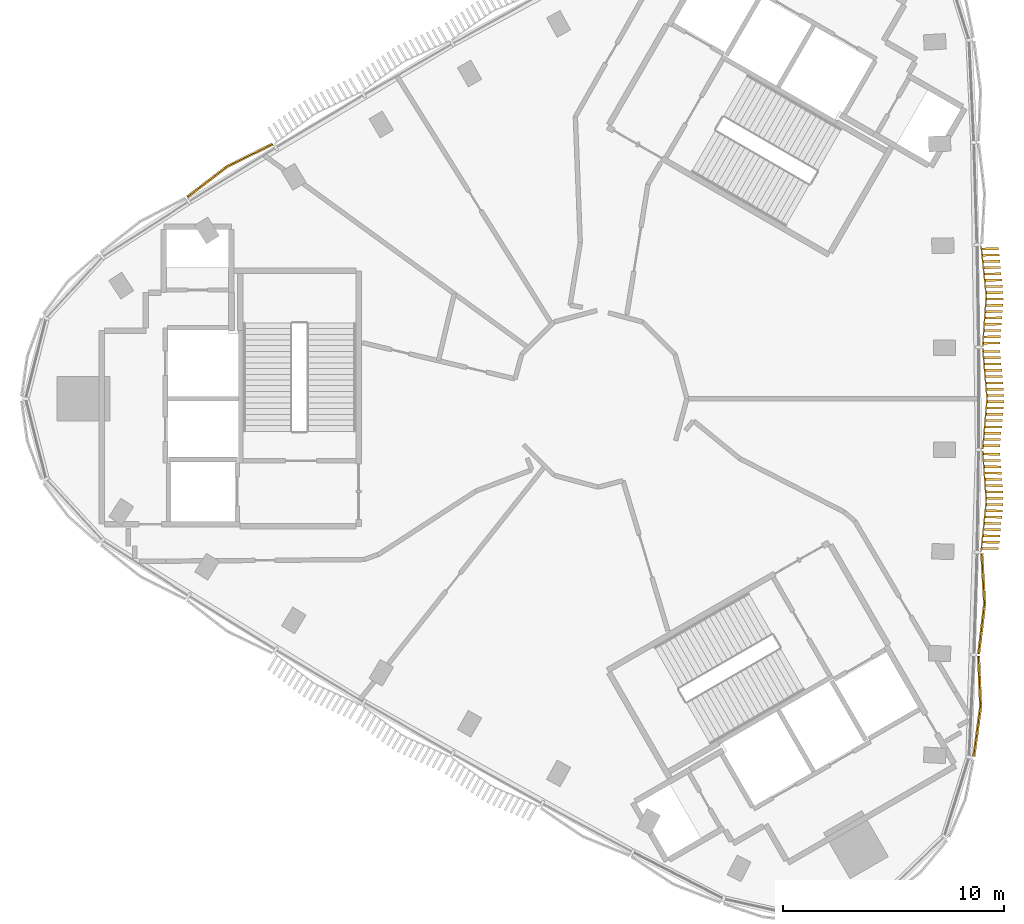
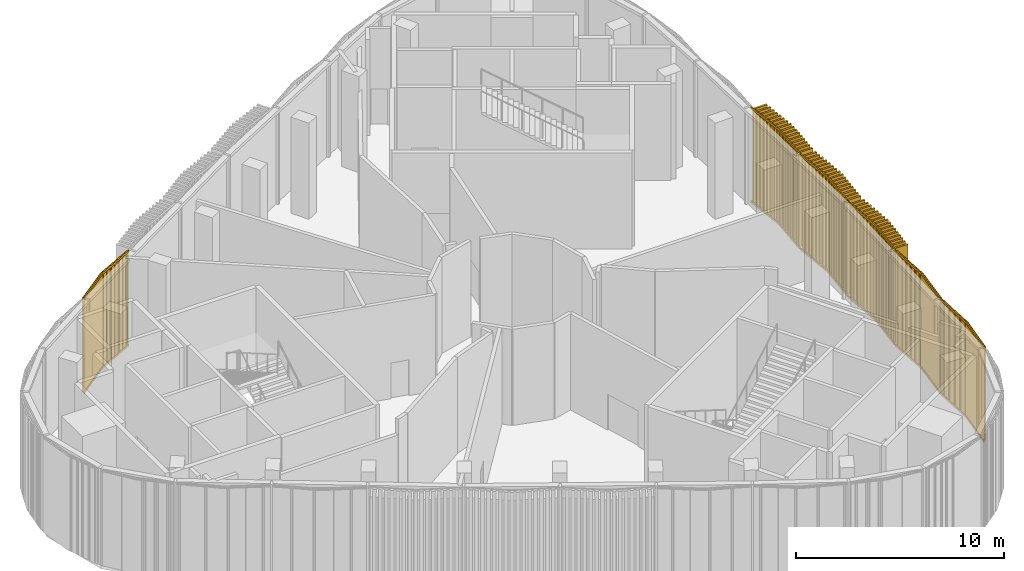
# One storey, part 9 of 11: 6 coverings.
"""IFC4 building model written with IfcOpenShell, lengths in metres."""

from ifc_helpers import new_model, si_unit, direction, frame, frame_2d, origin, place, context, subcontext, project, spatial, rectangle, extrude, source, transform, mapped, material, type_object, element, save


model = new_model("IFC4")

# Units and contexts
model_context = context("Model", 3, precision=1e-05, world=origin(), true_north=direction((0.0, 1.0)))
body_context = subcontext(model_context, "Body", "Model", "MODEL_VIEW")
ifc_project = project(units=[si_unit("LENGTHUNIT", "METRE"), si_unit("AREAUNIT", "SQUARE_METRE"), si_unit("VOLUMEUNIT", "CUBIC_METRE"), si_unit("PLANEANGLEUNIT", "RADIAN"), si_unit("MASSUNIT", "GRAM", prefix="KILO")], contexts=[model_context])

# Site, building, storey
site_placement = place(None, origin())
site = spatial("IfcSite", under=ifc_project, at=site_placement, CompositionType="ELEMENT")
building_placement = place(site_placement, origin())
building = spatial("IfcBuilding", under=site, at=building_placement, Name="Tamra Quay Hotel Tower", CompositionType="ELEMENT")
storey_placement = place(building_placement, frame((0.0, 0.0, 306.60009765625)))
storey = spatial("IfcBuildingStorey", under=building, at=storey_placement, Name="L77", CompositionType="ELEMENT", Elevation=306.60009765625)

# Coverings
ifc_material = material(Name="Terracotta baguette extruded", Category="masonry")
covering_type_1 = type_object("IfcCoveringType", Name="BAGUETTE SCREEN E-SHALLOW H5650", PredefinedType="USERDEFINED", material=ifc_material)
shared_shape_1 = source(origin(), body_context, "Body", "SweptSolid", [
    extrude(rectangle(XDim=2.28125, YDim=0.06005859375, at=frame_2d((1.140625, 0.030029296875))), frame((-2.27783203125, -0.057861328125, -0.1201171875), z_axis=(0.0, 0.0, 1.0), x_axis=(0.996194698092, -0.087155742748, 0.0)), (0.0, 0.0, 1.0), 0.1201171875),
    extrude(rectangle(XDim=2.28125, YDim=0.06005859375, at=frame_2d((1.140625, 0.030029296875))), frame((-2.27783203125, -0.057861328125, -5.64990234375), z_axis=(0.0, 0.0, 1.0), x_axis=(0.996194698092, -0.087155742748, 0.0)), (0.0, 0.0, 1.0), 0.1201171875),
    extrude(rectangle(XDim=0.094970703125, YDim=0.10009765625, at=frame_2d((0.04736328125, 0.050048828125))), frame((-2.2705078125, -0.13232421875, -5.590087890625)), (0.0, 0.0, 1.0), 5.530029296875),
    extrude(rectangle(XDim=0.094970703125, YDim=0.10009765625, at=frame_2d((0.04736328125, 0.050048828125))), frame((-2.171875, -0.140869140625, -5.590087890625)), (0.0, 0.0, 1.0), 5.530029296875),
    extrude(rectangle(XDim=0.094970703125, YDim=0.10009765625, at=frame_2d((0.04736328125, 0.050048828125))), frame((-2.072998046875, -0.149658203125, -5.590087890625)), (0.0, 0.0, 1.0), 5.530029296875),
    extrude(rectangle(XDim=0.094970703125, YDim=0.10009765625, at=frame_2d((0.04736328125, 0.050048828125))), frame((-1.97412109375, -0.158203125, -5.590087890625)), (0.0, 0.0, 1.0), 5.530029296875),
    extrude(rectangle(XDim=0.094970703125, YDim=0.10009765625, at=frame_2d((0.04736328125, 0.050048828125))), frame((-1.87548828125, -0.1669921875, -5.590087890625)), (0.0, 0.0, 1.0), 5.530029296875),
    extrude(rectangle(XDim=0.094970703125, YDim=0.10009765625, at=frame_2d((0.04736328125, 0.050048828125))), frame((-1.776611328125, -0.175537109375, -5.590087890625)), (0.0, 0.0, 1.0), 5.530029296875),
    extrude(rectangle(XDim=0.094970703125, YDim=0.10009765625, at=frame_2d((0.04736328125, 0.050048828125))), frame((-1.677734375, -0.18408203125, -5.590087890625)), (0.0, 0.0, 1.0), 5.530029296875),
    extrude(rectangle(XDim=0.094970703125, YDim=0.10009765625, at=frame_2d((0.04736328125, 0.050048828125))), frame((-1.578857421875, -0.19287109375, -5.590087890625)), (0.0, 0.0, 1.0), 5.530029296875),
    extrude(rectangle(XDim=0.094970703125, YDim=0.10009765625, at=frame_2d((0.04736328125, 0.050048828125))), frame((-1.480224609375, -0.201416015625, -5.590087890625)), (0.0, 0.0, 1.0), 5.530029296875),
    extrude(rectangle(XDim=0.094970703125, YDim=0.10009765625, at=frame_2d((0.04736328125, 0.050048828125))), frame((-1.38134765625, -0.210205078125, -5.590087890625)), (0.0, 0.0, 1.0), 5.530029296875),
    extrude(rectangle(XDim=0.094970703125, YDim=0.10009765625, at=frame_2d((0.04736328125, 0.050048828125))), frame((-1.282470703125, -0.21875, -5.590087890625)), (0.0, 0.0, 1.0), 5.530029296875),
    extrude(rectangle(XDim=0.094970703125, YDim=0.10009765625, at=frame_2d((0.04736328125, 0.050048828125))), frame((-1.183837890625, -0.227294921875, -5.590087890625)), (0.0, 0.0, 1.0), 5.530029296875),
    extrude(rectangle(XDim=0.094970703125, YDim=0.10009765625, at=frame_2d((0.04736328125, 0.050048828125))), frame((-1.0849609375, -0.236083984375, -5.590087890625)), (0.0, 0.0, 1.0), 5.530029296875),
    extrude(rectangle(XDim=0.094970703125, YDim=0.10009765625, at=frame_2d((0.04736328125, 0.050048828125))), frame((-0.986083984375, -0.24462890625, -5.590087890625)), (0.0, 0.0, 1.0), 5.530029296875),
    extrude(rectangle(XDim=0.094970703125, YDim=0.10009765625, at=frame_2d((0.04736328125, 0.050048828125))), frame((-0.887451171875, -0.25341796875, -5.590087890625)), (0.0, 0.0, 1.0), 5.530029296875),
    extrude(rectangle(XDim=0.094970703125, YDim=0.10009765625, at=frame_2d((0.04736328125, 0.050048828125))), frame((-0.78857421875, -0.261962890625, -5.590087890625)), (0.0, 0.0, 1.0), 5.530029296875),
    extrude(rectangle(XDim=0.094970703125, YDim=0.10009765625, at=frame_2d((0.04736328125, 0.050048828125))), frame((-0.689697265625, -0.270751953125, -5.590087890625)), (0.0, 0.0, 1.0), 5.530029296875),
    extrude(rectangle(XDim=0.094970703125, YDim=0.10009765625, at=frame_2d((0.04736328125, 0.050048828125))), frame((-0.5908203125, -0.279296875, -5.590087890625)), (0.0, 0.0, 1.0), 5.530029296875),
    extrude(rectangle(XDim=0.094970703125, YDim=0.10009765625, at=frame_2d((0.04736328125, 0.050048828125))), frame((-0.4921875, -0.287841796875, -5.590087890625)), (0.0, 0.0, 1.0), 5.530029296875),
    extrude(rectangle(XDim=0.094970703125, YDim=0.10009765625, at=frame_2d((0.04736328125, 0.050048828125))), frame((-0.393310546875, -0.296630859375, -5.590087890625)), (0.0, 0.0, 1.0), 5.530029296875),
    extrude(rectangle(XDim=0.094970703125, YDim=0.10009765625, at=frame_2d((0.04736328125, 0.050048828125))), frame((-0.29443359375, -0.30517578125, -5.590087890625)), (0.0, 0.0, 1.0), 5.530029296875),
    extrude(rectangle(XDim=0.094970703125, YDim=0.10009765625, at=frame_2d((0.04736328125, 0.050048828125))), frame((-0.19580078125, -0.31396484375, -5.590087890625)), (0.0, 0.0, 1.0), 5.530029296875),
    extrude(rectangle(XDim=0.094970703125, YDim=0.10009765625, at=frame_2d((0.04736328125, 0.050048828125))), frame((-0.096923828125, -0.322509765625, -5.590087890625)), (0.0, 0.0, 1.0), 5.530029296875),
    extrude(rectangle(XDim=2.28125, YDim=0.06005859375, at=frame_2d((1.140625, 0.030029296875))), frame((0.005126953125, -0.256591796875, -0.1201171875), z_axis=(0.0, 0.0, 1.0), x_axis=(0.996194698092, 0.087155742748, 0.0)), (0.0, 0.0, 1.0), 0.1201171875),
    extrude(rectangle(XDim=2.28125, YDim=0.06005859375, at=frame_2d((1.140625, 0.030029296875))), frame((0.005126953125, -0.256591796875, -5.64990234375), z_axis=(0.0, 0.0, 1.0), x_axis=(0.996194698092, 0.087155742748, 0.0)), (0.0, 0.0, 1.0), 0.1201171875),
    extrude(rectangle(XDim=0.094970703125, YDim=0.10009765625, at=frame_2d((0.04736328125, 0.050048828125))), frame((0.001953125, -0.322509765625, -5.590087890625)), (0.0, 0.0, 1.0), 5.530029296875),
    extrude(rectangle(XDim=0.094970703125, YDim=0.10009765625, at=frame_2d((0.04736328125, 0.050048828125))), frame((0.100830078125, -0.31396484375, -5.590087890625)), (0.0, 0.0, 1.0), 5.530029296875),
    extrude(rectangle(XDim=0.094970703125, YDim=0.10009765625, at=frame_2d((0.04736328125, 0.050048828125))), frame((0.199462890625, -0.30517578125, -5.590087890625)), (0.0, 0.0, 1.0), 5.530029296875),
    extrude(rectangle(XDim=0.094970703125, YDim=0.10009765625, at=frame_2d((0.04736328125, 0.050048828125))), frame((0.29833984375, -0.296630859375, -5.590087890625)), (0.0, 0.0, 1.0), 5.530029296875),
    extrude(rectangle(XDim=0.094970703125, YDim=0.10009765625, at=frame_2d((0.04736328125, 0.050048828125))), frame((0.397216796875, -0.287841796875, -5.590087890625)), (0.0, 0.0, 1.0), 5.530029296875),
    extrude(rectangle(XDim=0.094970703125, YDim=0.10009765625, at=frame_2d((0.04736328125, 0.050048828125))), frame((0.495849609375, -0.279296875, -5.590087890625)), (0.0, 0.0, 1.0), 5.530029296875),
    extrude(rectangle(XDim=0.094970703125, YDim=0.10009765625, at=frame_2d((0.04736328125, 0.050048828125))), frame((0.5947265625, -0.270751953125, -5.590087890625)), (0.0, 0.0, 1.0), 5.530029296875),
    extrude(rectangle(XDim=0.094970703125, YDim=0.10009765625, at=frame_2d((0.04736328125, 0.050048828125))), frame((0.693603515625, -0.261962890625, -5.590087890625)), (0.0, 0.0, 1.0), 5.530029296875),
    extrude(rectangle(XDim=0.094970703125, YDim=0.10009765625, at=frame_2d((0.04736328125, 0.050048828125))), frame((0.792236328125, -0.25341796875, -5.590087890625)), (0.0, 0.0, 1.0), 5.530029296875),
    extrude(rectangle(XDim=0.094970703125, YDim=0.10009765625, at=frame_2d((0.04736328125, 0.050048828125))), frame((0.89111328125, -0.24462890625, -5.590087890625)), (0.0, 0.0, 1.0), 5.530029296875),
    extrude(rectangle(XDim=0.094970703125, YDim=0.10009765625, at=frame_2d((0.04736328125, 0.050048828125))), frame((0.989990234375, -0.236083984375, -5.590087890625)), (0.0, 0.0, 1.0), 5.530029296875),
    extrude(rectangle(XDim=0.094970703125, YDim=0.10009765625, at=frame_2d((0.04736328125, 0.050048828125))), frame((1.0888671875, -0.227294921875, -5.590087890625)), (0.0, 0.0, 1.0), 5.530029296875),
    extrude(rectangle(XDim=0.094970703125, YDim=0.10009765625, at=frame_2d((0.04736328125, 0.050048828125))), frame((1.1875, -0.21875, -5.590087890625)), (0.0, 0.0, 1.0), 5.530029296875),
    extrude(rectangle(XDim=0.094970703125, YDim=0.10009765625, at=frame_2d((0.04736328125, 0.050048828125))), frame((1.286376953125, -0.210205078125, -5.590087890625)), (0.0, 0.0, 1.0), 5.530029296875),
    extrude(rectangle(XDim=0.094970703125, YDim=0.10009765625, at=frame_2d((0.04736328125, 0.050048828125))), frame((1.38525390625, -0.201416015625, -5.590087890625)), (0.0, 0.0, 1.0), 5.530029296875),
    extrude(rectangle(XDim=0.094970703125, YDim=0.10009765625, at=frame_2d((0.04736328125, 0.050048828125))), frame((1.48388671875, -0.19287109375, -5.590087890625)), (0.0, 0.0, 1.0), 5.530029296875),
    extrude(rectangle(XDim=0.094970703125, YDim=0.10009765625, at=frame_2d((0.04736328125, 0.050048828125))), frame((1.582763671875, -0.18408203125, -5.590087890625)), (0.0, 0.0, 1.0), 5.530029296875),
    extrude(rectangle(XDim=0.094970703125, YDim=0.10009765625, at=frame_2d((0.04736328125, 0.050048828125))), frame((1.681640625, -0.175537109375, -5.590087890625)), (0.0, 0.0, 1.0), 5.530029296875),
    extrude(rectangle(XDim=0.094970703125, YDim=0.10009765625, at=frame_2d((0.04736328125, 0.050048828125))), frame((1.7802734375, -0.1669921875, -5.590087890625)), (0.0, 0.0, 1.0), 5.530029296875),
    extrude(rectangle(XDim=0.094970703125, YDim=0.10009765625, at=frame_2d((0.04736328125, 0.050048828125))), frame((1.879150390625, -0.158203125, -5.590087890625)), (0.0, 0.0, 1.0), 5.530029296875),
    extrude(rectangle(XDim=0.094970703125, YDim=0.10009765625, at=frame_2d((0.04736328125, 0.050048828125))), frame((1.97802734375, -0.149658203125, -5.590087890625)), (0.0, 0.0, 1.0), 5.530029296875),
    extrude(rectangle(XDim=0.094970703125, YDim=0.10009765625, at=frame_2d((0.04736328125, 0.050048828125))), frame((2.076904296875, -0.140869140625, -5.590087890625)), (0.0, 0.0, 1.0), 5.530029296875),
    extrude(rectangle(XDim=0.094970703125, YDim=0.10009765625, at=frame_2d((0.04736328125, 0.050048828125))), frame((2.175537109375, -0.13232421875, -5.590087890625)), (0.0, 0.0, 1.0), 5.530029296875),
])
for number, where, z_axis, x_axis, name in (
    (1, (17.00634765625, -13.8955078125, 5.64990234375), (0.0, 0.0, 1.0), (0.046821272814, 0.998903282812, 0.0), "Baguette screen L77.E.f00"),
    (2, (17.187255859375, -9.265625, 5.64990234375), (0.0, 0.0, 1.0), (0.031241813408, 0.999511855405, 0.0), "Baguette screen L77.E.f01"),
):
    element("IfcCovering", number, at=place(storey_placement, frame(where, z_axis=z_axis, x_axis=x_axis)), inside=storey, type_object=covering_type_1, Name=name, ObjectType="BAGUETTE SCREEN", PredefinedType="USERDEFINED", context=body_context, shape_type="MappedRepresentation", body=[
        mapped(shared_shape_1, transform((0.0, 0.0, 0.0), scale=1.0)),
    ])
covering_type_2 = type_object("IfcCoveringType", Name="BAGUETTE SCREEN E-DEEP H5650", PredefinedType="USERDEFINED", material=ifc_material)
shared_shape_2 = source(origin(), body_context, "Body", "SweptSolid", [
    extrude(rectangle(XDim=2.28125, YDim=0.06005859375, at=frame_2d((1.140625, 0.030029296875))), frame((-2.27783203125, -0.057861328125, -0.1201171875), z_axis=(0.0, 0.0, 1.0), x_axis=(0.996194698092, -0.087155742748, 0.0)), (0.0, 0.0, 1.0), 0.1201171875),
    extrude(rectangle(XDim=2.28125, YDim=0.06005859375, at=frame_2d((1.140625, 0.030029296875))), frame((-2.27783203125, -0.057861328125, -5.64990234375), z_axis=(0.0, 0.0, 1.0), x_axis=(0.996194698092, -0.087155742748, 0.0)), (0.0, 0.0, 1.0), 0.1201171875),
    extrude(rectangle(XDim=0.10009765625, YDim=0.780029296875, at=frame_2d((0.050048828125, 0.39013671875))), frame((-2.180419921875, -0.8203125, -5.590087890625)), (0.0, 0.0, 1.0), 5.530029296875),
    extrude(rectangle(XDim=0.10009765625, YDim=0.780029296875, at=frame_2d((0.050048828125, 0.39013671875))), frame((-1.896484375, -0.84521484375, -5.590087890625)), (0.0, 0.0, 1.0), 5.530029296875),
    extrude(rectangle(XDim=0.10009765625, YDim=0.780029296875, at=frame_2d((0.050048828125, 0.39013671875))), frame((-1.6123046875, -0.8701171875, -5.590087890625)), (0.0, 0.0, 1.0), 5.530029296875),
    extrude(rectangle(XDim=0.10009765625, YDim=0.780029296875, at=frame_2d((0.050048828125, 0.39013671875))), frame((-1.328369140625, -0.89501953125, -5.590087890625)), (0.0, 0.0, 1.0), 5.530029296875),
    extrude(rectangle(XDim=0.10009765625, YDim=0.780029296875, at=frame_2d((0.050048828125, 0.39013671875))), frame((-1.044189453125, -0.919921875, -5.590087890625)), (0.0, 0.0, 1.0), 5.530029296875),
    extrude(rectangle(XDim=0.10009765625, YDim=0.780029296875, at=frame_2d((0.050048828125, 0.39013671875))), frame((-0.76025390625, -0.944580078125, -5.590087890625)), (0.0, 0.0, 1.0), 5.530029296875),
    extrude(rectangle(XDim=0.10009765625, YDim=0.780029296875, at=frame_2d((0.050048828125, 0.39013671875))), frame((-0.47607421875, -0.969482421875, -5.590087890625)), (0.0, 0.0, 1.0), 5.530029296875),
    extrude(rectangle(XDim=0.10009765625, YDim=0.780029296875, at=frame_2d((0.050048828125, 0.39013671875))), frame((-0.192138671875, -0.994384765625, -5.590087890625)), (0.0, 0.0, 1.0), 5.530029296875),
    extrude(rectangle(XDim=2.28125, YDim=0.06005859375, at=frame_2d((1.140625, 0.030029296875))), frame((0.005126953125, -0.256591796875, -0.1201171875), z_axis=(0.0, 0.0, 1.0), x_axis=(0.996194698092, 0.087155742748, 0.0)), (0.0, 0.0, 1.0), 0.1201171875),
    extrude(rectangle(XDim=2.28125, YDim=0.06005859375, at=frame_2d((1.140625, 0.030029296875))), frame((0.005126953125, -0.256591796875, -5.64990234375), z_axis=(0.0, 0.0, 1.0), x_axis=(0.996194698092, 0.087155742748, 0.0)), (0.0, 0.0, 1.0), 0.1201171875),
    extrude(rectangle(XDim=0.10009765625, YDim=0.780029296875, at=frame_2d((0.050048828125, 0.39013671875))), frame((0.092041015625, -0.994384765625, -5.590087890625)), (0.0, 0.0, 1.0), 5.530029296875),
    extrude(rectangle(XDim=0.10009765625, YDim=0.780029296875, at=frame_2d((0.050048828125, 0.39013671875))), frame((0.3759765625, -0.969482421875, -5.590087890625)), (0.0, 0.0, 1.0), 5.530029296875),
    extrude(rectangle(XDim=0.10009765625, YDim=0.780029296875, at=frame_2d((0.050048828125, 0.39013671875))), frame((0.66015625, -0.944580078125, -5.590087890625)), (0.0, 0.0, 1.0), 5.530029296875),
    extrude(rectangle(XDim=0.10009765625, YDim=0.780029296875, at=frame_2d((0.050048828125, 0.39013671875))), frame((0.9443359375, -0.919921875, -5.590087890625)), (0.0, 0.0, 1.0), 5.530029296875),
    extrude(rectangle(XDim=0.10009765625, YDim=0.780029296875, at=frame_2d((0.050048828125, 0.39013671875))), frame((1.228271484375, -0.89501953125, -5.590087890625)), (0.0, 0.0, 1.0), 5.530029296875),
    extrude(rectangle(XDim=0.10009765625, YDim=0.780029296875, at=frame_2d((0.050048828125, 0.39013671875))), frame((1.512451171875, -0.8701171875, -5.590087890625)), (0.0, 0.0, 1.0), 5.530029296875),
    extrude(rectangle(XDim=0.10009765625, YDim=0.780029296875, at=frame_2d((0.050048828125, 0.39013671875))), frame((1.79638671875, -0.84521484375, -5.590087890625)), (0.0, 0.0, 1.0), 5.530029296875),
    extrude(rectangle(XDim=0.10009765625, YDim=0.780029296875, at=frame_2d((0.050048828125, 0.39013671875))), frame((2.08056640625, -0.8203125, -5.590087890625)), (0.0, 0.0, 1.0), 5.530029296875),
])
for number, where, z_axis, x_axis, name in (
    (3, (17.2958984375, -4.633544921875, 5.64990234375), (0.0, 0.0, 1.0), (0.015632289829, 0.999877808292, 0.0), "Baguette screen L77.E.f02"),
    (4, (17.33203125, 0.0, 5.64990234375), (0.0, 0.0, 1.0), (0.0, 1.0, 0.0), "Baguette screen L77.E.f03"),
    (5, (17.2958984375, 4.633544921875, 5.64990234375), (0.0, 0.0, 1.0), (-0.015632289829, 0.999877808292, 0.0), "Baguette screen L77.E.f04"),
):
    element("IfcCovering", number, at=place(storey_placement, frame(where, z_axis=z_axis, x_axis=x_axis)), inside=storey, type_object=covering_type_2, Name=name, ObjectType="BAGUETTE SCREEN", PredefinedType="USERDEFINED", context=body_context, shape_type="MappedRepresentation", body=[
        mapped(shared_shape_2, transform((0.0, 0.0, 0.0), scale=1.0)),
    ])
covering_type_3 = type_object("IfcCoveringType", Name="BAGUETTE SCREEN NW-SHALLOW H5650", PredefinedType="USERDEFINED", material=ifc_material)
shared_shape_3 = source(origin(), body_context, "Body", "SweptSolid", [
    extrude(rectangle(XDim=2.282958984375, YDim=0.06005859375, at=frame_2d((1.1416015625, 0.030029296875))), frame((-2.2783203125, -0.0576171875, -0.1201171875), z_axis=(0.0, 0.0, 1.0), x_axis=(0.995396198367, -0.09584575252, 0.0)), (0.0, 0.0, 1.0), 0.1201171875),
    extrude(rectangle(XDim=2.282958984375, YDim=0.06005859375, at=frame_2d((1.1416015625, 0.030029296875))), frame((-2.2783203125, -0.0576171875, -5.64990234375), z_axis=(0.0, 0.0, 1.0), x_axis=(0.995396198367, -0.09584575252, 0.0)), (0.0, 0.0, 1.0), 0.1201171875),
    extrude(rectangle(XDim=0.094970703125, YDim=0.10009765625, at=frame_2d((0.04736328125, 0.050048828125))), frame((-2.2705078125, -0.1328125, -5.590087890625)), (0.0, 0.0, 1.0), 5.530029296875),
    extrude(rectangle(XDim=0.094970703125, YDim=0.10009765625, at=frame_2d((0.04736328125, 0.050048828125))), frame((-2.171875, -0.142333984375, -5.590087890625)), (0.0, 0.0, 1.0), 5.530029296875),
    extrude(rectangle(XDim=0.094970703125, YDim=0.10009765625, at=frame_2d((0.04736328125, 0.050048828125))), frame((-2.072998046875, -0.15185546875, -5.590087890625)), (0.0, 0.0, 1.0), 5.530029296875),
    extrude(rectangle(XDim=0.094970703125, YDim=0.10009765625, at=frame_2d((0.04736328125, 0.050048828125))), frame((-1.97412109375, -0.161376953125, -5.590087890625)), (0.0, 0.0, 1.0), 5.530029296875),
    extrude(rectangle(XDim=0.094970703125, YDim=0.10009765625, at=frame_2d((0.04736328125, 0.050048828125))), frame((-1.87548828125, -0.1708984375, -5.590087890625)), (0.0, 0.0, 1.0), 5.530029296875),
    extrude(rectangle(XDim=0.094970703125, YDim=0.10009765625, at=frame_2d((0.04736328125, 0.050048828125))), frame((-1.776611328125, -0.180419921875, -5.590087890625)), (0.0, 0.0, 1.0), 5.530029296875),
    extrude(rectangle(XDim=0.094970703125, YDim=0.10009765625, at=frame_2d((0.04736328125, 0.050048828125))), frame((-1.677734375, -0.18994140625, -5.590087890625)), (0.0, 0.0, 1.0), 5.530029296875),
    extrude(rectangle(XDim=0.094970703125, YDim=0.10009765625, at=frame_2d((0.04736328125, 0.050048828125))), frame((-1.578857421875, -0.199462890625, -5.590087890625)), (0.0, 0.0, 1.0), 5.530029296875),
    extrude(rectangle(XDim=0.094970703125, YDim=0.10009765625, at=frame_2d((0.04736328125, 0.050048828125))), frame((-1.480224609375, -0.208984375, -5.590087890625)), (0.0, 0.0, 1.0), 5.530029296875),
    extrude(rectangle(XDim=0.094970703125, YDim=0.10009765625, at=frame_2d((0.04736328125, 0.050048828125))), frame((-1.38134765625, -0.21826171875, -5.590087890625)), (0.0, 0.0, 1.0), 5.530029296875),
    extrude(rectangle(XDim=0.094970703125, YDim=0.10009765625, at=frame_2d((0.04736328125, 0.050048828125))), frame((-1.282470703125, -0.227783203125, -5.590087890625)), (0.0, 0.0, 1.0), 5.530029296875),
    extrude(rectangle(XDim=0.094970703125, YDim=0.10009765625, at=frame_2d((0.04736328125, 0.050048828125))), frame((-1.183837890625, -0.2373046875, -5.590087890625)), (0.0, 0.0, 1.0), 5.530029296875),
    extrude(rectangle(XDim=0.094970703125, YDim=0.10009765625, at=frame_2d((0.04736328125, 0.050048828125))), frame((-1.0849609375, -0.246826171875, -5.590087890625)), (0.0, 0.0, 1.0), 5.530029296875),
    extrude(rectangle(XDim=0.094970703125, YDim=0.10009765625, at=frame_2d((0.04736328125, 0.050048828125))), frame((-0.986083984375, -0.25634765625, -5.590087890625)), (0.0, 0.0, 1.0), 5.530029296875),
    extrude(rectangle(XDim=0.094970703125, YDim=0.10009765625, at=frame_2d((0.04736328125, 0.050048828125))), frame((-0.887451171875, -0.265869140625, -5.590087890625)), (0.0, 0.0, 1.0), 5.530029296875),
    extrude(rectangle(XDim=0.094970703125, YDim=0.10009765625, at=frame_2d((0.04736328125, 0.050048828125))), frame((-0.78857421875, -0.275390625, -5.590087890625)), (0.0, 0.0, 1.0), 5.530029296875),
    extrude(rectangle(XDim=0.094970703125, YDim=0.10009765625, at=frame_2d((0.04736328125, 0.050048828125))), frame((-0.689697265625, -0.284912109375, -5.590087890625)), (0.0, 0.0, 1.0), 5.530029296875),
    extrude(rectangle(XDim=0.094970703125, YDim=0.10009765625, at=frame_2d((0.04736328125, 0.050048828125))), frame((-0.5908203125, -0.29443359375, -5.590087890625)), (0.0, 0.0, 1.0), 5.530029296875),
    extrude(rectangle(XDim=0.094970703125, YDim=0.10009765625, at=frame_2d((0.04736328125, 0.050048828125))), frame((-0.4921875, -0.303955078125, -5.590087890625)), (0.0, 0.0, 1.0), 5.530029296875),
    extrude(rectangle(XDim=0.094970703125, YDim=0.10009765625, at=frame_2d((0.04736328125, 0.050048828125))), frame((-0.393310546875, -0.3134765625, -5.590087890625)), (0.0, 0.0, 1.0), 5.530029296875),
    extrude(rectangle(XDim=0.094970703125, YDim=0.10009765625, at=frame_2d((0.04736328125, 0.050048828125))), frame((-0.29443359375, -0.322998046875, -5.590087890625)), (0.0, 0.0, 1.0), 5.530029296875),
    extrude(rectangle(XDim=0.094970703125, YDim=0.10009765625, at=frame_2d((0.04736328125, 0.050048828125))), frame((-0.19580078125, -0.33251953125, -5.590087890625)), (0.0, 0.0, 1.0), 5.530029296875),
    extrude(rectangle(XDim=0.094970703125, YDim=0.10009765625, at=frame_2d((0.04736328125, 0.050048828125))), frame((-0.096923828125, -0.342041015625, -5.590087890625)), (0.0, 0.0, 1.0), 5.530029296875),
    extrude(rectangle(XDim=2.282958984375, YDim=0.06005859375, at=frame_2d((1.1416015625, 0.030029296875))), frame((0.005859375, -0.276611328125, -0.1201171875), z_axis=(0.0, 0.0, 1.0), x_axis=(0.995396198367, 0.09584575252, 0.0)), (0.0, 0.0, 1.0), 0.1201171875),
    extrude(rectangle(XDim=2.282958984375, YDim=0.06005859375, at=frame_2d((1.1416015625, 0.030029296875))), frame((0.005859375, -0.276611328125, -5.64990234375), z_axis=(0.0, 0.0, 1.0), x_axis=(0.995396198367, 0.09584575252, 0.0)), (0.0, 0.0, 1.0), 0.1201171875),
    extrude(rectangle(XDim=0.094970703125, YDim=0.10009765625, at=frame_2d((0.04736328125, 0.050048828125))), frame((0.001953125, -0.342041015625, -5.590087890625)), (0.0, 0.0, 1.0), 5.530029296875),
    extrude(rectangle(XDim=0.094970703125, YDim=0.10009765625, at=frame_2d((0.04736328125, 0.050048828125))), frame((0.100830078125, -0.33251953125, -5.590087890625)), (0.0, 0.0, 1.0), 5.530029296875),
    extrude(rectangle(XDim=0.094970703125, YDim=0.10009765625, at=frame_2d((0.04736328125, 0.050048828125))), frame((0.199462890625, -0.322998046875, -5.590087890625)), (0.0, 0.0, 1.0), 5.530029296875),
    extrude(rectangle(XDim=0.094970703125, YDim=0.10009765625, at=frame_2d((0.04736328125, 0.050048828125))), frame((0.29833984375, -0.3134765625, -5.590087890625)), (0.0, 0.0, 1.0), 5.530029296875),
    extrude(rectangle(XDim=0.094970703125, YDim=0.10009765625, at=frame_2d((0.04736328125, 0.050048828125))), frame((0.397216796875, -0.303955078125, -5.590087890625)), (0.0, 0.0, 1.0), 5.530029296875),
    extrude(rectangle(XDim=0.094970703125, YDim=0.10009765625, at=frame_2d((0.04736328125, 0.050048828125))), frame((0.495849609375, -0.29443359375, -5.590087890625)), (0.0, 0.0, 1.0), 5.530029296875),
    extrude(rectangle(XDim=0.094970703125, YDim=0.10009765625, at=frame_2d((0.04736328125, 0.050048828125))), frame((0.5947265625, -0.284912109375, -5.590087890625)), (0.0, 0.0, 1.0), 5.530029296875),
    extrude(rectangle(XDim=0.094970703125, YDim=0.10009765625, at=frame_2d((0.04736328125, 0.050048828125))), frame((0.693603515625, -0.275390625, -5.590087890625)), (0.0, 0.0, 1.0), 5.530029296875),
    extrude(rectangle(XDim=0.094970703125, YDim=0.10009765625, at=frame_2d((0.04736328125, 0.050048828125))), frame((0.792236328125, -0.265869140625, -5.590087890625)), (0.0, 0.0, 1.0), 5.530029296875),
    extrude(rectangle(XDim=0.094970703125, YDim=0.10009765625, at=frame_2d((0.04736328125, 0.050048828125))), frame((0.89111328125, -0.25634765625, -5.590087890625)), (0.0, 0.0, 1.0), 5.530029296875),
    extrude(rectangle(XDim=0.094970703125, YDim=0.10009765625, at=frame_2d((0.04736328125, 0.050048828125))), frame((0.989990234375, -0.246826171875, -5.590087890625)), (0.0, 0.0, 1.0), 5.530029296875),
    extrude(rectangle(XDim=0.094970703125, YDim=0.10009765625, at=frame_2d((0.04736328125, 0.050048828125))), frame((1.0888671875, -0.2373046875, -5.590087890625)), (0.0, 0.0, 1.0), 5.530029296875),
    extrude(rectangle(XDim=0.094970703125, YDim=0.10009765625, at=frame_2d((0.04736328125, 0.050048828125))), frame((1.1875, -0.227783203125, -5.590087890625)), (0.0, 0.0, 1.0), 5.530029296875),
    extrude(rectangle(XDim=0.094970703125, YDim=0.10009765625, at=frame_2d((0.04736328125, 0.050048828125))), frame((1.286376953125, -0.21826171875, -5.590087890625)), (0.0, 0.0, 1.0), 5.530029296875),
    extrude(rectangle(XDim=0.094970703125, YDim=0.10009765625, at=frame_2d((0.04736328125, 0.050048828125))), frame((1.38525390625, -0.208984375, -5.590087890625)), (0.0, 0.0, 1.0), 5.530029296875),
    extrude(rectangle(XDim=0.094970703125, YDim=0.10009765625, at=frame_2d((0.04736328125, 0.050048828125))), frame((1.48388671875, -0.199462890625, -5.590087890625)), (0.0, 0.0, 1.0), 5.530029296875),
    extrude(rectangle(XDim=0.094970703125, YDim=0.10009765625, at=frame_2d((0.04736328125, 0.050048828125))), frame((1.582763671875, -0.18994140625, -5.590087890625)), (0.0, 0.0, 1.0), 5.530029296875),
    extrude(rectangle(XDim=0.094970703125, YDim=0.10009765625, at=frame_2d((0.04736328125, 0.050048828125))), frame((1.681640625, -0.180419921875, -5.590087890625)), (0.0, 0.0, 1.0), 5.530029296875),
    extrude(rectangle(XDim=0.094970703125, YDim=0.10009765625, at=frame_2d((0.04736328125, 0.050048828125))), frame((1.7802734375, -0.1708984375, -5.590087890625)), (0.0, 0.0, 1.0), 5.530029296875),
    extrude(rectangle(XDim=0.094970703125, YDim=0.10009765625, at=frame_2d((0.04736328125, 0.050048828125))), frame((1.879150390625, -0.161376953125, -5.590087890625)), (0.0, 0.0, 1.0), 5.530029296875),
    extrude(rectangle(XDim=0.094970703125, YDim=0.10009765625, at=frame_2d((0.04736328125, 0.050048828125))), frame((1.97802734375, -0.15185546875, -5.590087890625)), (0.0, 0.0, 1.0), 5.530029296875),
    extrude(rectangle(XDim=0.094970703125, YDim=0.10009765625, at=frame_2d((0.04736328125, 0.050048828125))), frame((2.076904296875, -0.142333984375, -5.590087890625)), (0.0, 0.0, 1.0), 5.530029296875),
    extrude(rectangle(XDim=0.094970703125, YDim=0.10009765625, at=frame_2d((0.04736328125, 0.050048828125))), frame((2.175537109375, -0.1328125, -5.590087890625)), (0.0, 0.0, 1.0), 5.530029296875),
])
covering_placement = place(storey_placement, frame((-16.617919921875, 10.251953125, 5.64990234375), z_axis=(0.0, 0.0, 1.0), x_axis=(-0.849981751461, -0.526812131774, 0.0)))
element("IfcCovering", 6, at=covering_placement, inside=storey, type_object=covering_type_3, Name="Baguette screen L77.NW.f05", ObjectType="BAGUETTE SCREEN", PredefinedType="USERDEFINED", context=body_context, shape_type="MappedRepresentation", body=[
    mapped(shared_shape_3, transform((0.0, 0.0, 0.0), scale=1.0)),
])

save(model, "model.ifc")
